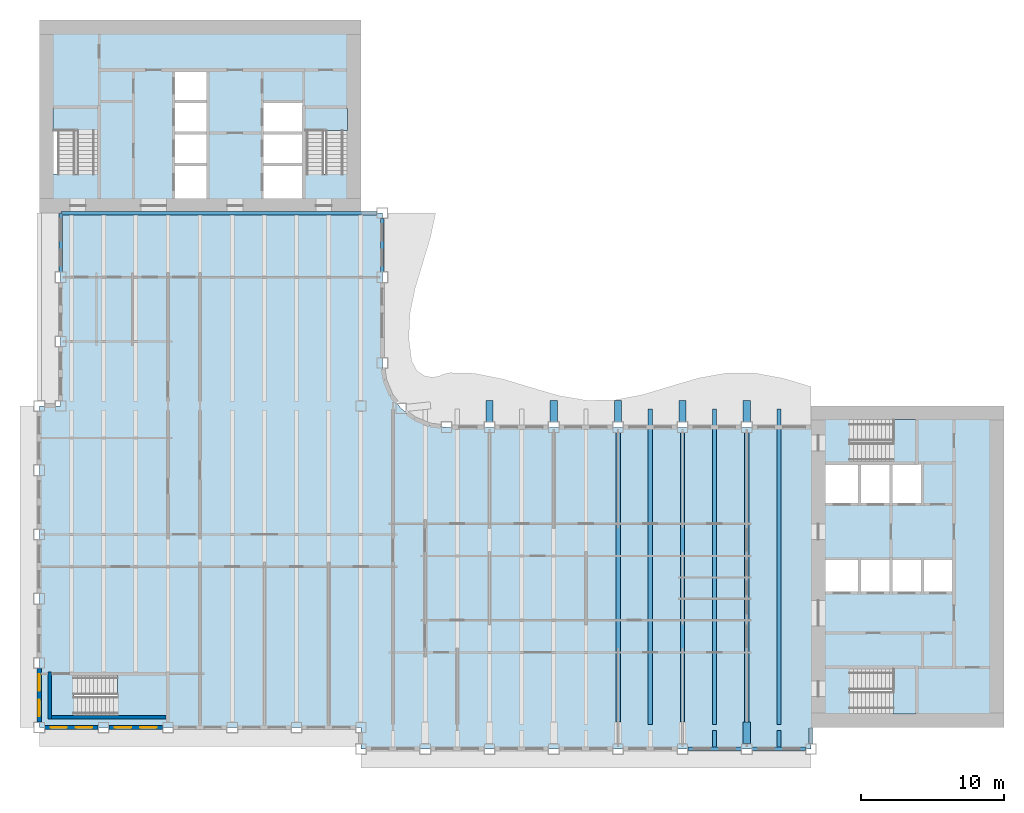
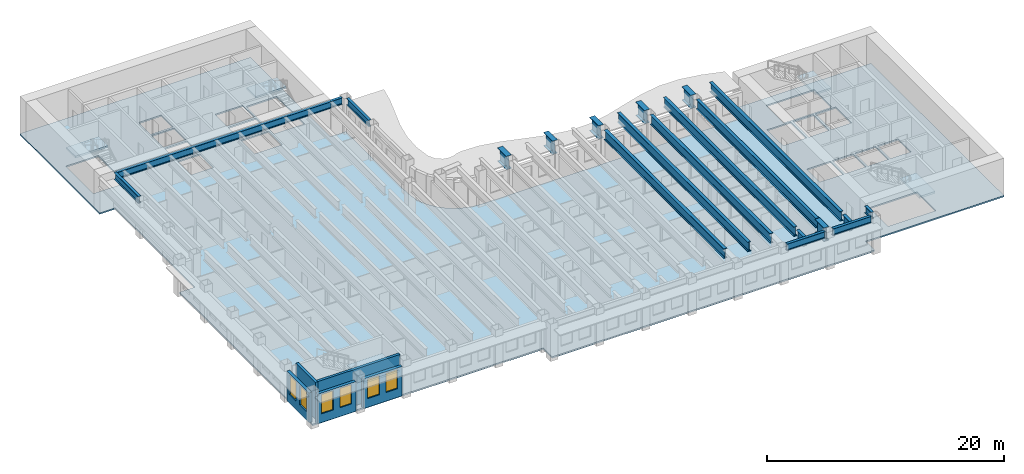
# One storey, part 2 of 16: 21 beams, 6 slabs, 6 windows, 5 walls, 6 openings, 5 elements without a shape of their own.
"""IFC4 building model written with IfcOpenShell, lengths in metres."""

from ifc_helpers import new_model, si_unit, direction, frame, frame_2d, origin, origin_2d, place, context, subcontext, project, spatial, polyline, rectangle, i_section, outline, extrude, material, layer, layer_set, material_profile, profile_set, type_object, element, fill, aggregate, save


model = new_model("IFC4")

# Units and contexts
model_context = context("Model", 3, precision=1e-05, world=origin(), true_north=direction((0.0, 1.0)))
body_context = subcontext(model_context, "Body", "Model", "MODEL_VIEW")
ifc_project = project(units=[si_unit("LENGTHUNIT", "METRE"), si_unit("AREAUNIT", "SQUARE_METRE"), si_unit("VOLUMEUNIT", "CUBIC_METRE"), si_unit("PLANEANGLEUNIT", "RADIAN"), si_unit("MASSUNIT", "GRAM", prefix="KILO")], contexts=[model_context])

# Site, building, storey
site_placement = place(None, origin())
site = spatial("IfcSite", under=ifc_project, at=site_placement, CompositionType="ELEMENT")
building_placement = place(site_placement, origin())
building = spatial("IfcBuilding", under=site, at=building_placement, Name="Sennacour Bend Tower", CompositionType="ELEMENT")
storey_placement = place(building_placement, frame((0.0, 0.0, 239.0)))
storey = spatial("IfcBuildingStorey", under=building, at=storey_placement, Name="L55", CompositionType="ELEMENT", Elevation=239.0)

# Beams
ifc_material_1 = material(Name="Steel ASTM A992 Grade 50", Category="steel")
ifc_material_profile_1 = material_profile(ifc_material_1, i_section(OverallWidth=0.300048828125, OverallDepth=0.97998046875, WebThickness=0.0166015625, FlangeThickness=0.026123046875, FilletRadius=0.02978515625, at=origin_2d()), Name="Steel ASTM A992 Grade 50", Category="steel")
ifc_profile_set_1 = profile_set([ifc_material_profile_1], Name="Steel ASTM A992 Grade 50")
beam_type_1 = type_object("IfcBeamType", Name="Floor beam W1000X249", PredefinedType="BEAM", material=ifc_profile_set_1)
beam_1_placement = place(storey_placement, frame((40.5, 0.375, 3.260009765625), z_axis=(0.0, 1.0, 0.0), x_axis=(-1.0, 0.0, 0.0)))
element("IfcBeam", 1, at=beam_1_placement, inside=storey, type_object=beam_type_1, Name="Floor beam FBM2 L56-033", PredefinedType="BEAM", context=body_context, shape_type="SweptSolid", body=[
    extrude(i_section(OverallWidth=0.300048828125, OverallDepth=0.97998046875, WebThickness=0.0166015625, FlangeThickness=0.026123046875, FilletRadius=0.02978515625, at=origin_2d()), origin(), (0.0, 0.0, 1.0), 20.25),
])
beam_2_placement = place(storey_placement, frame((42.75, 0.20947265625, 3.260009765625), z_axis=(0.0, 1.0, 0.0), x_axis=(-1.0, 0.0, 0.0)))
element("IfcBeam", 2, at=beam_2_placement, inside=storey, type_object=beam_type_1, Name="Floor beam FBM2 L56-035", PredefinedType="BEAM", context=body_context, shape_type="SweptSolid", body=[
    extrude(i_section(OverallWidth=0.300048828125, OverallDepth=0.97998046875, WebThickness=0.0166015625, FlangeThickness=0.026123046875, FilletRadius=0.02978515625, at=origin_2d()), origin(), (0.0, 0.0, 1.0), 22.0810546875),
])
beam_3_placement = place(storey_placement, frame((45.0, 0.375, 3.260009765625), z_axis=(0.0, 1.0, 0.0), x_axis=(-1.0, 0.0, 0.0)))
element("IfcBeam", 3, at=beam_3_placement, inside=storey, type_object=beam_type_1, Name="Floor beam FBM2 L56-036", PredefinedType="BEAM", context=body_context, shape_type="SweptSolid", body=[
    extrude(i_section(OverallWidth=0.300048828125, OverallDepth=0.97998046875, WebThickness=0.0166015625, FlangeThickness=0.026123046875, FilletRadius=0.02978515625, at=origin_2d()), origin(), (0.0, 0.0, 1.0), 20.25),
])
beam_4_placement = place(storey_placement, frame((47.25, -1.37158203125, 3.2099609375), z_axis=(0.0, 1.0, 0.0), x_axis=(-1.0, 0.0, 0.0)))
element("IfcBeam", 4, at=beam_4_placement, inside=storey, type_object=beam_type_1, Name="Floor beam FBM2 L56-037", PredefinedType="BEAM", context=body_context, shape_type="SweptSolid", body=[
    extrude(i_section(OverallWidth=0.300048828125, OverallDepth=0.97998046875, WebThickness=0.0166015625, FlangeThickness=0.026123046875, FilletRadius=0.02978515625, at=origin_2d()), origin(), (0.0, 0.0, 1.0), 1.162109375),
])
beam_5_placement = place(storey_placement, frame((47.25, 0.20947265625, 3.260009765625), z_axis=(0.0, 1.0, 0.0), x_axis=(-1.0, 0.0, 0.0)))
element("IfcBeam", 5, at=beam_5_placement, inside=storey, type_object=beam_type_1, Name="Floor beam FBM2 L56-038", PredefinedType="BEAM", context=body_context, shape_type="SweptSolid", body=[
    extrude(i_section(OverallWidth=0.300048828125, OverallDepth=0.97998046875, WebThickness=0.0166015625, FlangeThickness=0.026123046875, FilletRadius=0.02978515625, at=origin_2d()), origin(), (0.0, 0.0, 1.0), 22.0810546875),
])
beam_6_placement = place(storey_placement, frame((49.5, 0.375, 3.260009765625), z_axis=(0.0, 1.0, 0.0), x_axis=(-1.0, 0.0, 0.0)))
element("IfcBeam", 6, at=beam_6_placement, inside=storey, type_object=beam_type_1, Name="Floor beam FBM2 L56-039", PredefinedType="BEAM", context=body_context, shape_type="SweptSolid", body=[
    extrude(i_section(OverallWidth=0.300048828125, OverallDepth=0.97998046875, WebThickness=0.0166015625, FlangeThickness=0.026123046875, FilletRadius=0.02978515625, at=origin_2d()), origin(), (0.0, 0.0, 1.0), 20.25),
])
beam_7_placement = place(storey_placement, frame((51.75, -1.37158203125, 3.2099609375), z_axis=(0.0, 1.0, 0.0), x_axis=(-1.0, 0.0, 0.0)))
element("IfcBeam", 7, at=beam_7_placement, inside=storey, type_object=beam_type_1, Name="Floor beam FBM2 L56-040", PredefinedType="BEAM", context=body_context, shape_type="SweptSolid", body=[
    extrude(i_section(OverallWidth=0.300048828125, OverallDepth=0.97998046875, WebThickness=0.0166015625, FlangeThickness=0.026123046875, FilletRadius=0.02978515625, at=origin_2d()), origin(), (0.0, 0.0, 1.0), 1.162109375),
])
beam_8_placement = place(storey_placement, frame((51.75, 0.20947265625, 3.260009765625), z_axis=(0.0, 1.0, 0.0), x_axis=(-1.0, 0.0, 0.0)))
element("IfcBeam", 8, at=beam_8_placement, inside=storey, type_object=beam_type_1, Name="Floor beam FBM2 L56-041", PredefinedType="BEAM", context=body_context, shape_type="SweptSolid", body=[
    extrude(i_section(OverallWidth=0.300048828125, OverallDepth=0.97998046875, WebThickness=0.0166015625, FlangeThickness=0.026123046875, FilletRadius=0.02978515625, at=origin_2d()), origin(), (0.0, 0.0, 1.0), 22.0810546875),
])
ifc_material_profile_2 = material_profile(ifc_material_1, i_section(OverallWidth=0.257080078125, OverallDepth=0.693115234375, WebThickness=0.014404296875, FlangeThickness=0.023681640625, FilletRadius=0.015380859375, at=origin_2d()), Name="Steel ASTM A992 Grade 50", Category="steel")
ifc_profile_set_2 = profile_set([ifc_material_profile_2], Name="Steel ASTM A992 Grade 50")
beam_type_2 = type_object("IfcBeamType", Name="Spandrel beam W690X170", PredefinedType="SPANDREL", material=ifc_profile_set_2)
for number, where, z_axis, x_axis, name in (
    (9, (53.625, -1.5, 3.353515625), (-1.0, 0.0, 0.0), (0.0, -1.0, 0.0), "Spandrel beam SP5 L56-001"),
    (10, (49.125, -1.5, 3.353515625), (-1.0, 0.0, 0.0), (0.0, -1.0, 0.0), "Spandrel beam SP5 L56-002"),
):
    element("IfcBeam", number, at=place(storey_placement, frame(where, z_axis=z_axis, x_axis=x_axis)), inside=storey, type_object=beam_type_2, Name=name, PredefinedType="SPANDREL", context=body_context, shape_type="SweptSolid", body=[
        extrude(i_section(OverallWidth=0.257080078125, OverallDepth=0.693115234375, WebThickness=0.014404296875, FlangeThickness=0.023681640625, FilletRadius=0.015380859375, at=origin_2d()), origin(), (0.0, 0.0, 1.0), 3.75),
    ])
beam_9_placement = place(storey_placement, frame((54.0, -0.030029296875, 3.353515625), z_axis=(0.0, -1.0, 0.0), x_axis=(1.0, 0.0, 0.0)))
element("IfcBeam", 11, at=beam_9_placement, inside=storey, type_object=beam_type_2, Name="Spandrel beam SP5 L56-008", PredefinedType="SPANDREL", context=body_context, shape_type="SweptSolid", body=[
    extrude(i_section(OverallWidth=0.257080078125, OverallDepth=0.693115234375, WebThickness=0.014404296875, FlangeThickness=0.023681640625, FilletRadius=0.015380859375, at=origin_2d()), origin(), (0.0, 0.0, 1.0), 1.094970703125),
])
beam_10_placement = place(storey_placement, frame((24.0, 35.625, 3.353515625), z_axis=(0.0, -1.0, 0.0), x_axis=(1.0, 0.0, 0.0)))
element("IfcBeam", 12, at=beam_10_placement, inside=storey, type_object=beam_type_2, Name="Spandrel beam SP5 L56-009", PredefinedType="SPANDREL", context=body_context, shape_type="SweptSolid", body=[
    extrude(i_section(OverallWidth=0.257080078125, OverallDepth=0.693115234375, WebThickness=0.014404296875, FlangeThickness=0.023681640625, FilletRadius=0.015380859375, at=origin_2d()), origin(), (0.0, 0.0, 1.0), 3.75),
])
beam_11_placement = place(storey_placement, frame((1.5, 31.875, 3.353515625), z_axis=(0.0, 1.0, 0.0), x_axis=(-1.0, 0.0, 0.0)))
element("IfcBeam", 13, at=beam_11_placement, inside=storey, type_object=beam_type_2, Name="Spandrel beam SP5 L56-013", PredefinedType="SPANDREL", context=body_context, shape_type="SweptSolid", body=[
    extrude(i_section(OverallWidth=0.257080078125, OverallDepth=0.693115234375, WebThickness=0.014404296875, FlangeThickness=0.023681640625, FilletRadius=0.015380859375, at=origin_2d()), origin(), (0.0, 0.0, 1.0), 4.094970703125),
])
beam_12_placement = place(storey_placement, frame((1.514892578125, 35.969970703125, 3.353515625), z_axis=(1.0, 0.0, 0.0), x_axis=(0.0, 1.0, 0.0)))
element("IfcBeam", 14, at=beam_12_placement, inside=storey, type_object=beam_type_2, Name="Spandrel beam SP5 L56-014", PredefinedType="SPANDREL", context=body_context, shape_type="SweptSolid", body=[
    extrude(i_section(OverallWidth=0.257080078125, OverallDepth=0.693115234375, WebThickness=0.014404296875, FlangeThickness=0.023681640625, FilletRadius=0.015380859375, at=origin_2d()), origin(), (0.0, 0.0, 1.0), 21.01513671875),
])
beam_13_placement = place(storey_placement, frame((22.530029296875, 36.0, 3.353515625), z_axis=(1.0, 0.0, 0.0), x_axis=(0.0, 1.0, 0.0)))
element("IfcBeam", 15, at=beam_13_placement, inside=storey, type_object=beam_type_2, Name="Spandrel beam SP5 L56-015", PredefinedType="SPANDREL", context=body_context, shape_type="SweptSolid", body=[
    extrude(i_section(OverallWidth=0.257080078125, OverallDepth=0.693115234375, WebThickness=0.014404296875, FlangeThickness=0.023681640625, FilletRadius=0.015380859375, at=origin_2d()), origin(), (0.0, 0.0, 1.0), 1.094970703125),
])
ifc_material_2 = material(Name="Steel ASTM A572 Grade 50", Category="steel")
ifc_material_profile_3 = material_profile(ifc_material_2, i_section(OverallWidth=0.5, OverallDepth=1.39990234375, WebThickness=0.030029296875, FlangeThickness=0.054931640625, at=origin_2d()), Name="Steel ASTM A572 Grade 50", Category="steel")
ifc_profile_set_3 = profile_set([ifc_material_profile_3], Name="Steel ASTM A572 Grade 50")
beam_type_3 = type_object("IfcBeamType", Name="Transfer stub 1400", PredefinedType="USERDEFINED", material=ifc_profile_set_3)
for number, where, z_axis, x_axis, name in (
    (16, (31.5, 21.375, 3.050048828125), (0.0, 1.0, 0.0), (-1.0, 0.0, 0.0), "Transfer beam TS L56-004"),
    (17, (36.0, 21.375, 3.050048828125), (0.0, 1.0, 0.0), (-1.0, 0.0, 0.0), "Transfer beam TS L56-006"),
    (18, (40.5, 21.375, 3.050048828125), (0.0, 1.0, 0.0), (-1.0, 0.0, 0.0), "Transfer beam TS L56-008"),
    (19, (45.0, 21.375, 3.050048828125), (0.0, 1.0, 0.0), (-1.0, 0.0, 0.0), "Transfer beam TS L56-010"),
    (20, (49.5, -1.125, 3.0), (0.0, 1.0, 0.0), (-1.0, 0.0, 0.0), "Transfer beam TS L56-011"),
    (21, (49.5, 21.375, 3.050048828125), (0.0, 1.0, 0.0), (-1.0, 0.0, 0.0), "Transfer beam TS L56-012"),
):
    element("IfcBeam", number, at=place(storey_placement, frame(where, z_axis=z_axis, x_axis=x_axis)), inside=storey, type_object=beam_type_3, Name=name, ObjectType="TRANSFER BEAM", PredefinedType="USERDEFINED", context=body_context, shape_type="SweptSolid", body=[
        extrude(i_section(OverallWidth=0.5, OverallDepth=1.39990234375, WebThickness=0.030029296875, FlangeThickness=0.054931640625, at=origin_2d()), origin(), (0.0, 0.0, 1.0), 1.5),
    ])

# Slab
ifc_material_3 = material(Name="Concrete C30/37", Category="concrete")
ifc_layer_1 = layer(ifc_material_3, 0.14990234375, Name="Concrete C30/37", Category="concrete")
ifc_layer_set_1 = layer_set([ifc_layer_1], Name="Concrete C30/37")
slab_type_1 = type_object("IfcSlabType", Name="Floor slab 150", PredefinedType="FLOOR", material=ifc_layer_set_1)
slab_1_placement = place(storey_placement, frame((0.0, 0.0, -0.14990234375)))
element("IfcSlab", 22, at=slab_1_placement, inside=storey, type_object=slab_type_1, Name="Floor slab L55-01", PredefinedType="FLOOR", context=body_context, shape_type="SweptSolid", body=[
    extrude(outline(polyline([(22.5, 0.0), (0.0, 0.0), (0.0, 22.5), (1.5, 22.5), (1.5, 36.0), (0.0, 36.0), (0.0, 49.5), (22.5, 49.5), (22.5, 36.0), (24.0, 36.0), (24.0, 25.5), (24.1533203125, 24.335205078125), (24.602783203125, 23.25), (25.318115234375, 22.318115234375), (26.25, 21.602783203125), (27.335205078125, 21.1533203125), (28.5, 21.0), (54.0, 21.0), (54.0, 22.5), (67.5, 22.5), (67.5, 0.0), (54.0, 0.0), (54.0, -1.5), (22.5, -1.5), (22.5, 0.0)]), holes=[polyline([(8.800048828125, 0.949951171875), (8.800048828125, 3.5), (2.429931640625, 3.5), (2.429931640625, 0.949951171875), (8.800048828125, 0.949951171875)]), polyline([(11.699951171875, 37.0), (11.699951171875, 39.300048828125), (9.5, 39.300048828125), (9.5, 37.0), (11.699951171875, 37.0)]), polyline([(18.39990234375, 37.0), (18.39990234375, 39.300048828125), (15.699951171875, 39.300048828125), (15.699951171875, 37.0), (18.39990234375, 37.0)]), polyline([(11.699951171875, 39.5), (11.699951171875, 41.5), (9.5, 41.5), (9.5, 39.5), (11.699951171875, 39.5)]), polyline([(18.39990234375, 39.5), (18.39990234375, 41.5), (15.699951171875, 41.5), (15.699951171875, 39.5), (18.39990234375, 39.5)]), polyline([(4.125, 38.72998046875), (4.125, 43.39990234375), (0.949951171875, 43.39990234375), (0.949951171875, 38.72998046875), (4.125, 38.72998046875)]), polyline([(21.550048828125, 38.72998046875), (21.550048828125, 43.39990234375), (18.574951171875, 43.39990234375), (18.574951171875, 38.72998046875), (21.550048828125, 38.72998046875)]), polyline([(9.5, 41.699951171875), (11.699951171875, 41.699951171875), (11.699951171875, 43.699951171875), (9.5, 43.699951171875), (9.5, 41.699951171875)]), polyline([(15.699951171875, 41.699951171875), (18.39990234375, 41.699951171875), (18.39990234375, 43.699951171875), (15.699951171875, 43.699951171875), (15.699951171875, 41.699951171875)]), polyline([(11.699951171875, 43.89990234375), (11.699951171875, 45.89990234375), (9.5, 45.89990234375), (9.5, 43.89990234375), (11.699951171875, 43.89990234375)]), polyline([(61.39990234375, 0.949951171875), (61.39990234375, 4.125), (56.72998046875, 4.125), (56.72998046875, 0.949951171875), (61.39990234375, 0.949951171875)]), polyline([(57.300048828125, 9.5), (57.300048828125, 11.699951171875), (55.0, 11.699951171875), (55.0, 9.5), (57.300048828125, 9.5)]), polyline([(57.5, 9.5), (59.5, 9.5), (59.5, 11.699951171875), (57.5, 11.699951171875), (57.5, 9.5)]), polyline([(59.699951171875, 9.5), (61.699951171875, 9.5), (61.699951171875, 11.699951171875), (59.699951171875, 11.699951171875), (59.699951171875, 9.5)]), polyline([(63.89990234375, 9.5), (63.89990234375, 11.699951171875), (61.89990234375, 11.699951171875), (61.89990234375, 9.5), (63.89990234375, 9.5)]), polyline([(57.300048828125, 15.699951171875), (57.300048828125, 18.39990234375), (55.0, 18.39990234375), (55.0, 15.699951171875), (57.300048828125, 15.699951171875)]), polyline([(59.5, 15.699951171875), (59.5, 18.39990234375), (57.5, 18.39990234375), (57.5, 15.699951171875), (59.5, 15.699951171875)]), polyline([(59.699951171875, 15.699951171875), (61.699951171875, 15.699951171875), (61.699951171875, 18.39990234375), (59.699951171875, 18.39990234375), (59.699951171875, 15.699951171875)]), polyline([(56.72998046875, 18.574951171875), (61.39990234375, 18.574951171875), (61.39990234375, 21.550048828125), (56.72998046875, 21.550048828125), (56.72998046875, 18.574951171875)])]), origin(), (0.0, 0.0, 1.0), 0.14990234375),
])

# Stair, slab
ifc_material_4 = material(Name="Concrete C40/50", Category="concrete")
stair_type = type_object("IfcStairType", Name="ST-DOGLEG", PredefinedType="HALF_TURN_STAIR", material=ifc_material_4)
stair_1_placement = place(storey_placement, origin())
stair_1 = element("IfcStair", 23, at=stair_1_placement, inside=storey, type_object=stair_type, Name="L55 Exit stair A1", PredefinedType="HALF_TURN_STAIR")
ifc_layer_2 = layer(ifc_material_4, 0.199951171875, Name="Concrete C40/50", Category="concrete")
ifc_layer_set_2 = layer_set([ifc_layer_2], Name="Concrete C40/50")
slab_type_2 = type_object("IfcSlabType", Name="Stair landing 200", PredefinedType="LANDING", material=ifc_layer_set_2)
slab_2_placement = place(storey_placement, frame((0.0, 0.0, 1.800048828125)))
slab_2 = element("IfcSlab", 24, at=slab_2_placement, type_object=slab_type_2, Name="SA1 landing 1", PredefinedType="LANDING", context=body_context, shape_type="SweptSolid", body=[
    extrude(outline(polyline([(59.780029296875, 0.949951171875), (61.324951171875, 0.949951171875), (61.324951171875, 4.125), (59.780029296875, 4.125), (59.780029296875, 0.949951171875)])), origin(), (0.0, 0.0, 1.0), 0.199951171875),
])
aggregate(stair_1, [slab_2])

stair_2_placement = place(storey_placement, origin())
stair_2 = element("IfcStair", 25, at=stair_2_placement, inside=storey, type_object=stair_type, Name="L55 Exit stair A2", PredefinedType="HALF_TURN_STAIR")
slab_3_placement = place(storey_placement, frame((0.0, 0.0, 1.800048828125)))
slab_3 = element("IfcSlab", 26, at=slab_3_placement, type_object=slab_type_2, Name="SA2 landing 1", PredefinedType="LANDING", context=body_context, shape_type="SweptSolid", body=[
    extrude(outline(polyline([(59.780029296875, 18.574951171875), (61.324951171875, 18.574951171875), (61.324951171875, 21.550048828125), (59.780029296875, 21.550048828125), (59.780029296875, 18.574951171875)])), origin(), (0.0, 0.0, 1.0), 0.199951171875),
])
aggregate(stair_2, [slab_3])

stair_3_placement = place(storey_placement, origin())
stair_3 = element("IfcStair", 27, at=stair_3_placement, inside=storey, type_object=stair_type, Name="L55 Exit stair B1", PredefinedType="HALF_TURN_STAIR")
slab_4_placement = place(storey_placement, frame((0.0, 0.0, 1.800048828125)))
slab_4 = element("IfcSlab", 28, at=slab_4_placement, type_object=slab_type_2, Name="SB1 landing 1", PredefinedType="LANDING", context=body_context, shape_type="SweptSolid", body=[
    extrude(outline(polyline([(0.949951171875, 41.780029296875), (4.125, 41.780029296875), (4.125, 43.324951171875), (0.949951171875, 43.324951171875), (0.949951171875, 41.780029296875)])), origin(), (0.0, 0.0, 1.0), 0.199951171875),
])
aggregate(stair_3, [slab_4])

stair_4_placement = place(storey_placement, origin())
stair_4 = element("IfcStair", 29, at=stair_4_placement, inside=storey, type_object=stair_type, Name="L55 Exit stair B2", PredefinedType="HALF_TURN_STAIR")
slab_5_placement = place(storey_placement, frame((0.0, 0.0, 1.800048828125)))
slab_5 = element("IfcSlab", 30, at=slab_5_placement, type_object=slab_type_2, Name="SB2 landing 1", PredefinedType="LANDING", context=body_context, shape_type="SweptSolid", body=[
    extrude(outline(polyline([(18.574951171875, 41.780029296875), (21.550048828125, 41.780029296875), (21.550048828125, 43.324951171875), (18.574951171875, 43.324951171875), (18.574951171875, 41.780029296875)])), origin(), (0.0, 0.0, 1.0), 0.199951171875),
])
aggregate(stair_4, [slab_5])

stair_5_placement = place(storey_placement, origin())
stair_5 = element("IfcStair", 31, at=stair_5_placement, inside=storey, type_object=stair_type, Name="L55 Exit stair K1", PredefinedType="HALF_TURN_STAIR")
slab_6_placement = place(storey_placement, frame((0.0, 0.0, 1.800048828125)))
slab_6 = element("IfcSlab", 32, at=slab_6_placement, type_object=slab_type_2, Name="SK1 landing 1", PredefinedType="LANDING", context=body_context, shape_type="SweptSolid", body=[
    extrude(outline(polyline([(5.47998046875, 0.800048828125), (8.925048828125, 0.800048828125), (8.925048828125, 3.675048828125), (5.47998046875, 3.675048828125), (5.47998046875, 0.800048828125)])), origin(), (0.0, 0.0, 1.0), 0.199951171875),
])
aggregate(stair_5, [slab_6])

# Wall, openings, windows
ifc_material_5 = material(Name="Warm limestone cladding", Category="masonry")
ifc_layer_3 = layer(ifc_material_5, 0.050048828125, Name="Warm limestone cladding", Category="masonry")
ifc_material_6 = material(Name="Precast concrete C40/50", Category="concrete")
ifc_layer_4 = layer(ifc_material_6, 0.25, Name="Precast concrete C40/50", Category="concrete")
ifc_layer_set_3 = layer_set([ifc_layer_3, ifc_layer_4], Name="Precast concrete C40/50 with limestone cladding")
wall_type_1 = type_object("IfcWallType", Name="STONE-CLAD PRECAST SPANDREL 300", PredefinedType="STANDARD", material=ifc_layer_set_3)
wall_1_placement = place(storey_placement, frame((0.0, 4.125, 0.0), z_axis=(0.0, 0.0, 1.0), x_axis=(0.0, -1.0, 0.0)))
wall_1 = element("IfcWall", 33, at=wall_1_placement, inside=storey, type_object=wall_type_1, Name="Stone spandrel and pier wall L55 21.04", PredefinedType="STANDARD", context=body_context, shape_type="SweptSolid", body=[
    extrude(rectangle(XDim=3.75, YDim=0.300048828125, at=frame_2d((1.875, 0.0))), origin(), (0.0, 0.0, 1.0), 3.056884765625),
])
opening_1_placement = place(wall_1_placement, frame((0.41259765625, 0.0, 0.89990234375)))
opening_1 = element("IfcOpeningElement", 34, at=opening_1_placement, cuts=wall_1, Name="Opening W24", PredefinedType="OPENING", context=body_context, shape_type="SweptSolid", body=[
    extrude(rectangle(XDim=1.14990234375, YDim=2.0, at=frame_2d((0.574951171875, 1.0))), frame((0.0, 0.16015625, 0.0), z_axis=(0.0, -1.0, 0.0), x_axis=(1.0, 0.0, 0.0)), (0.0, 0.0, 1.0), 0.320068359375),
])
opening_2_placement = place(wall_1_placement, frame((2.1875, 0.0, 0.89990234375)))
opening_2 = element("IfcOpeningElement", 35, at=opening_2_placement, cuts=wall_1, Name="Opening W24", PredefinedType="OPENING", context=body_context, shape_type="SweptSolid", body=[
    extrude(rectangle(XDim=1.14990234375, YDim=2.0, at=frame_2d((0.574951171875, 1.0))), frame((0.0, 0.16015625, 0.0), z_axis=(0.0, -1.0, 0.0), x_axis=(1.0, 0.0, 0.0)), (0.0, 0.0, 1.0), 0.320068359375),
])
ifc_material_7 = material(Name="Clear low-emissivity glass", Category="glass")
window_type = type_object("IfcWindowType", Name="WIN-RIBBON-1150x2000", PartitioningType="SINGLE_PANEL", PredefinedType="WINDOW", material=ifc_material_7)
window_1_placement = place(opening_1_placement, origin())
window_1 = element("IfcWindow", 36, at=window_1_placement, inside=storey, type_object=window_type, Name="Ribbon window L55 21.04.0", OverallHeight=2.0, OverallWidth=1.14990234375, PartitioningType="SINGLE_PANEL", PredefinedType="WINDOW", context=body_context, shape_type="SweptSolid", body=[
    extrude(rectangle(XDim=1.14990234375, YDim=2.0, at=frame_2d((0.574951171875, 1.0))), frame((0.0, 0.030029296875, 0.0), z_axis=(0.0, -1.0, 0.0), x_axis=(1.0, 0.0, 0.0)), (0.0, 0.0, 1.0), 0.06005859375),
])
fill(opening_1, window_1)
window_2_placement = place(opening_2_placement, origin())
window_2 = element("IfcWindow", 37, at=window_2_placement, inside=storey, type_object=window_type, Name="Ribbon window L55 21.04.1", OverallHeight=2.0, OverallWidth=1.14990234375, PartitioningType="SINGLE_PANEL", PredefinedType="WINDOW", context=body_context, shape_type="SweptSolid", body=[
    extrude(rectangle(XDim=1.14990234375, YDim=2.0, at=frame_2d((0.574951171875, 1.0))), frame((0.0, 0.030029296875, 0.0), z_axis=(0.0, -1.0, 0.0), x_axis=(1.0, 0.0, 0.0)), (0.0, 0.0, 1.0), 0.06005859375),
])
fill(opening_2, window_2)

wall_2_placement = place(storey_placement, frame((0.375, 0.0, 0.0), z_axis=(0.0, 0.0, 1.0), x_axis=(1.0, 0.0, 0.0)))
wall_2 = element("IfcWall", 38, at=wall_2_placement, inside=storey, type_object=wall_type_1, Name="Stone spandrel and pier wall L55 22.00", PredefinedType="STANDARD", context=body_context, shape_type="SweptSolid", body=[
    extrude(rectangle(XDim=3.75, YDim=0.300048828125, at=frame_2d((1.875, 0.0))), origin(), (0.0, 0.0, 1.0), 3.056884765625),
])
opening_3_placement = place(wall_2_placement, frame((0.41259765625, 0.0, 0.89990234375)))
opening_3 = element("IfcOpeningElement", 39, at=opening_3_placement, cuts=wall_2, Name="Opening W24", PredefinedType="OPENING", context=body_context, shape_type="SweptSolid", body=[
    extrude(rectangle(XDim=1.14990234375, YDim=2.0, at=frame_2d((0.574951171875, 1.0))), frame((0.0, 0.16015625, 0.0), z_axis=(0.0, -1.0, 0.0), x_axis=(1.0, 0.0, 0.0)), (0.0, 0.0, 1.0), 0.320068359375),
])
opening_4_placement = place(wall_2_placement, frame((2.1875, 0.0, 0.89990234375)))
opening_4 = element("IfcOpeningElement", 40, at=opening_4_placement, cuts=wall_2, Name="Opening W24", PredefinedType="OPENING", context=body_context, shape_type="SweptSolid", body=[
    extrude(rectangle(XDim=1.14990234375, YDim=2.0, at=frame_2d((0.574951171875, 1.0))), frame((0.0, 0.16015625, 0.0), z_axis=(0.0, -1.0, 0.0), x_axis=(1.0, 0.0, 0.0)), (0.0, 0.0, 1.0), 0.320068359375),
])
window_3_placement = place(opening_3_placement, origin())
window_3 = element("IfcWindow", 41, at=window_3_placement, inside=storey, type_object=window_type, Name="Ribbon window L55 22.00.0", OverallHeight=2.0, OverallWidth=1.14990234375, PartitioningType="SINGLE_PANEL", PredefinedType="WINDOW", context=body_context, shape_type="SweptSolid", body=[
    extrude(rectangle(XDim=1.14990234375, YDim=2.0, at=frame_2d((0.574951171875, 1.0))), frame((0.0, 0.030029296875, 0.0), z_axis=(0.0, -1.0, 0.0), x_axis=(1.0, 0.0, 0.0)), (0.0, 0.0, 1.0), 0.06005859375),
])
fill(opening_3, window_3)
window_4_placement = place(opening_4_placement, origin())
window_4 = element("IfcWindow", 42, at=window_4_placement, inside=storey, type_object=window_type, Name="Ribbon window L55 22.00.1", OverallHeight=2.0, OverallWidth=1.14990234375, PartitioningType="SINGLE_PANEL", PredefinedType="WINDOW", context=body_context, shape_type="SweptSolid", body=[
    extrude(rectangle(XDim=1.14990234375, YDim=2.0, at=frame_2d((0.574951171875, 1.0))), frame((0.0, 0.030029296875, 0.0), z_axis=(0.0, -1.0, 0.0), x_axis=(1.0, 0.0, 0.0)), (0.0, 0.0, 1.0), 0.06005859375),
])
fill(opening_4, window_4)

wall_3_placement = place(storey_placement, frame((4.875, 0.0, 0.0), z_axis=(0.0, 0.0, 1.0), x_axis=(1.0, 0.0, 0.0)))
wall_3 = element("IfcWall", 43, at=wall_3_placement, inside=storey, type_object=wall_type_1, Name="Stone spandrel and pier wall L55 22.01", PredefinedType="STANDARD", context=body_context, shape_type="SweptSolid", body=[
    extrude(rectangle(XDim=3.75, YDim=0.300048828125, at=frame_2d((1.875, 0.0))), origin(), (0.0, 0.0, 1.0), 3.056884765625),
])
opening_5_placement = place(wall_3_placement, frame((0.41259765625, 0.0, 0.89990234375)))
opening_5 = element("IfcOpeningElement", 44, at=opening_5_placement, cuts=wall_3, Name="Opening W24", PredefinedType="OPENING", context=body_context, shape_type="SweptSolid", body=[
    extrude(rectangle(XDim=1.14990234375, YDim=2.0, at=frame_2d((0.574951171875, 1.0))), frame((0.0, 0.16015625, 0.0), z_axis=(0.0, -1.0, 0.0), x_axis=(1.0, 0.0, 0.0)), (0.0, 0.0, 1.0), 0.320068359375),
])
opening_6_placement = place(wall_3_placement, frame((2.1875, 0.0, 0.89990234375)))
opening_6 = element("IfcOpeningElement", 45, at=opening_6_placement, cuts=wall_3, Name="Opening W24", PredefinedType="OPENING", context=body_context, shape_type="SweptSolid", body=[
    extrude(rectangle(XDim=1.14990234375, YDim=2.0, at=frame_2d((0.574951171875, 1.0))), frame((0.0, 0.16015625, 0.0), z_axis=(0.0, -1.0, 0.0), x_axis=(1.0, 0.0, 0.0)), (0.0, 0.0, 1.0), 0.320068359375),
])
window_5_placement = place(opening_5_placement, origin())
window_5 = element("IfcWindow", 46, at=window_5_placement, inside=storey, type_object=window_type, Name="Ribbon window L55 22.01.0", OverallHeight=2.0, OverallWidth=1.14990234375, PartitioningType="SINGLE_PANEL", PredefinedType="WINDOW", context=body_context, shape_type="SweptSolid", body=[
    extrude(rectangle(XDim=1.14990234375, YDim=2.0, at=frame_2d((0.574951171875, 1.0))), frame((0.0, 0.030029296875, 0.0), z_axis=(0.0, -1.0, 0.0), x_axis=(1.0, 0.0, 0.0)), (0.0, 0.0, 1.0), 0.06005859375),
])
fill(opening_5, window_5)
window_6_placement = place(opening_6_placement, origin())
window_6 = element("IfcWindow", 47, at=window_6_placement, inside=storey, type_object=window_type, Name="Ribbon window L55 22.01.1", OverallHeight=2.0, OverallWidth=1.14990234375, PartitioningType="SINGLE_PANEL", PredefinedType="WINDOW", context=body_context, shape_type="SweptSolid", body=[
    extrude(rectangle(XDim=1.14990234375, YDim=2.0, at=frame_2d((0.574951171875, 1.0))), frame((0.0, 0.030029296875, 0.0), z_axis=(0.0, -1.0, 0.0), x_axis=(1.0, 0.0, 0.0)), (0.0, 0.0, 1.0), 0.06005859375),
])
fill(opening_6, window_6)

# Walls
ifc_material_8 = material(Name="Concrete C60/75", Category="concrete")
ifc_layer_5 = layer(ifc_material_8, 0.25, Name="Concrete C60/75", Category="concrete")
ifc_layer_set_4 = layer_set([ifc_layer_5], Name="Concrete C60/75")
wall_type_2 = type_object("IfcWallType", Name="Stair wall 250", PredefinedType="SHEAR", material=ifc_layer_set_4)
wall_4_placement = place(storey_placement, frame((0.72509765625, 0.60009765625, 0.0), z_axis=(0.0, 0.0, 1.0), x_axis=(0.0, 1.0, 0.0)))
element("IfcWall", 48, at=wall_4_placement, inside=storey, type_object=wall_type_2, Name="P-L55-W002", PredefinedType="SHEAR", context=body_context, shape_type="SweptSolid", body=[
    extrude(rectangle(XDim=3.27490234375, YDim=0.25, at=frame_2d((1.637451171875, 0.0))), origin(), (0.0, 0.0, 1.0), 3.75),
])
wall_5_placement = place(storey_placement, frame((0.85009765625, 0.72509765625, 0.0), z_axis=(0.0, 0.0, 1.0), x_axis=(1.0, 0.0, 0.0)))
element("IfcWall", 49, at=wall_5_placement, inside=storey, type_object=wall_type_2, Name="P-L55-W050", PredefinedType="SHEAR", context=body_context, shape_type="SweptSolid", body=[
    extrude(rectangle(XDim=8.02490234375, YDim=0.25, at=frame_2d((4.012451171875, 0.0))), origin(), (0.0, 0.0, 1.0), 3.75),
])

save(model, "model.ifc")
